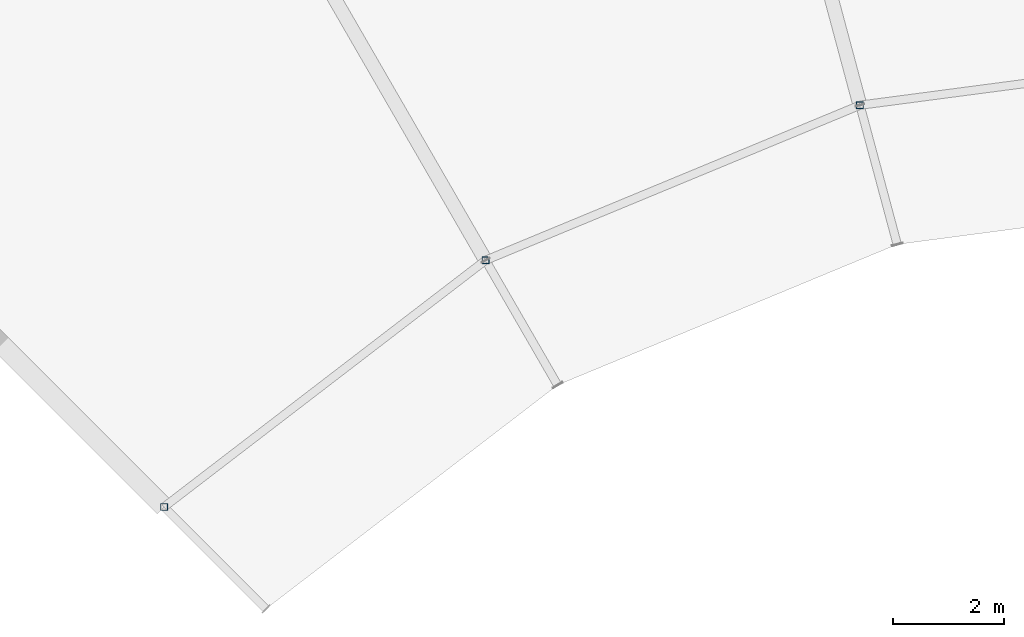
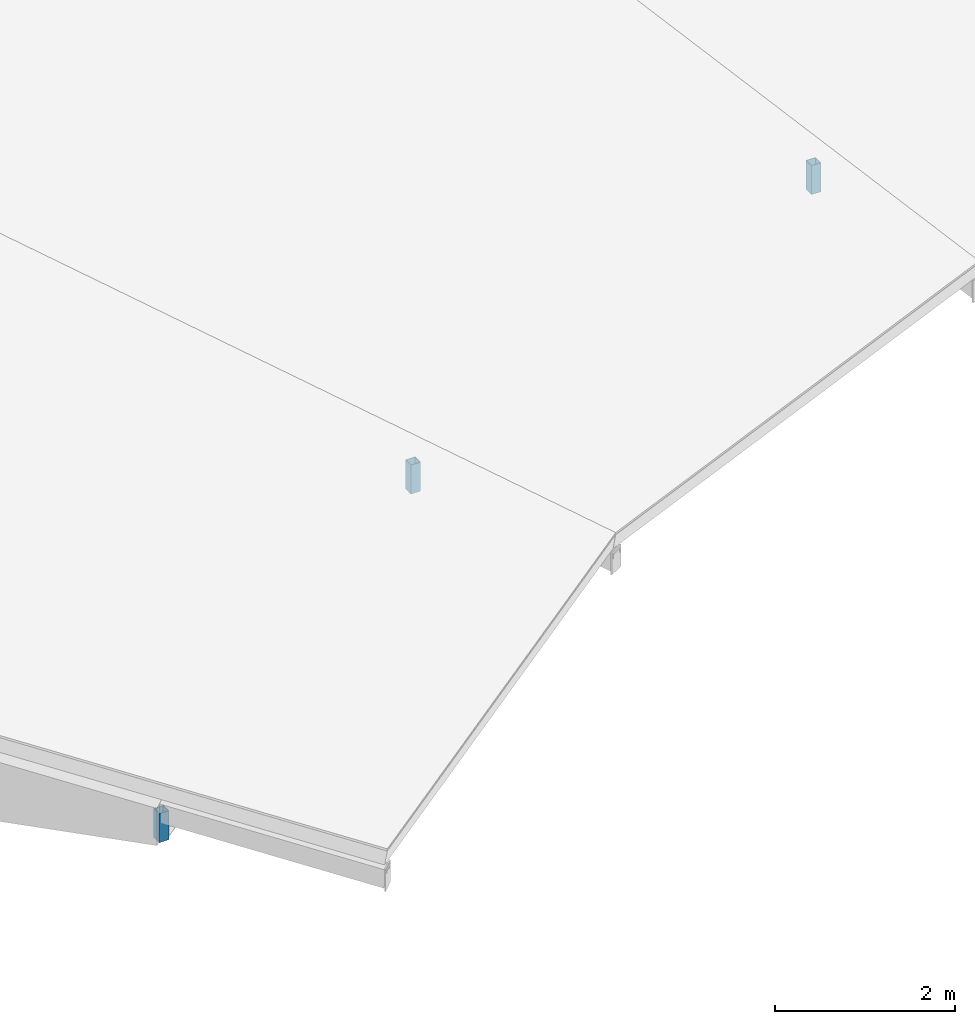
# One storey, part 34 of 70: 3 members.
"""IFC4 building model written with IfcOpenShell, lengths in metres."""

from ifc_helpers import new_model, si_unit, direction, frame, origin, origin_2d, place, context, subcontext, project, spatial, hollow_rectangle, extrude, material, material_profile, profile_set, type_object, element, save


model = new_model("IFC4")

# Units and contexts
model_context = context("Model", 3, precision=1e-05, world=origin(), true_north=direction((0.0, 1.0)))
body_context = subcontext(model_context, "Body", "Model", "MODEL_VIEW")
ifc_project = project(units=[si_unit("LENGTHUNIT", "METRE"), si_unit("AREAUNIT", "SQUARE_METRE"), si_unit("VOLUMEUNIT", "CUBIC_METRE"), si_unit("PLANEANGLEUNIT", "RADIAN"), si_unit("MASSUNIT", "GRAM", prefix="KILO")], contexts=[model_context])

# Site, building, storey
site_placement = place(None, origin())
site = spatial("IfcSite", under=ifc_project, at=site_placement, CompositionType="ELEMENT")
building_placement = place(site_placement, origin())
building = spatial("IfcBuilding", under=site, at=building_placement, Name="Vondelvale Polytechnic", CompositionType="ELEMENT")
storey_placement = place(building_placement, frame((0.0, 0.0, 22.199951171875)))
storey = spatial("IfcBuildingStorey", under=building, at=storey_placement, Name="L05", CompositionType="ELEMENT", Elevation=22.199951171875)

# Members
ifc_material = material(Name="Steel C350L0 (fy = 350 MPa)", Category="steel")
ifc_material_profile = material_profile(ifc_material, hollow_rectangle(XDim=0.125, YDim=0.125, WallThickness=0.006103515625, at=origin_2d()), Name="125x125x6.0SHS")
ifc_profile_set = profile_set([ifc_material_profile], Name="Steel C350L0 (fy = 350 MPa)")
member_type = type_object("IfcMemberType", Name="ROOF TRUSS POST 125SHS", PredefinedType="POST", material=ifc_profile_set)
for number, where, z_axis, x_axis, name in (
    (1, (94.753173828125, 99.0458984375, 0.0), (0.0, 0.0, 1.0), (1.0, 0.0, 0.0), "Ring inner eave post 07"),
    (2, (88.0, 96.248779296875, 0.0), (0.0, 0.0, 1.0), (1.0, 0.0, 0.0), "Ring inner eave post 08"),
    (3, (82.200927734375, 91.799072265625, 0.0), (0.0, 0.0, 1.0), (1.0, 0.0, 0.0), "Ring step inner roof post 08"),
):
    element("IfcMember", number, at=place(storey_placement, frame(where, z_axis=z_axis, x_axis=x_axis)), inside=storey, type_object=member_type, Name=name, PredefinedType="POST", context=body_context, shape_type="SweptSolid", body=[
        extrude(hollow_rectangle(XDim=0.125, YDim=0.125, WallThickness=0.006103515625, at=origin_2d()), origin(), (0.0, 0.0, 1.0), 0.3916015625),
    ])

save(model, "model.ifc")
